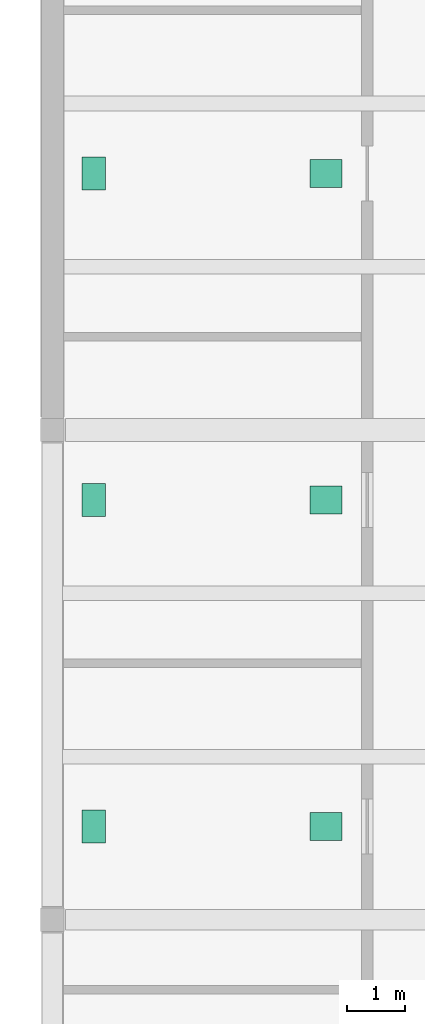
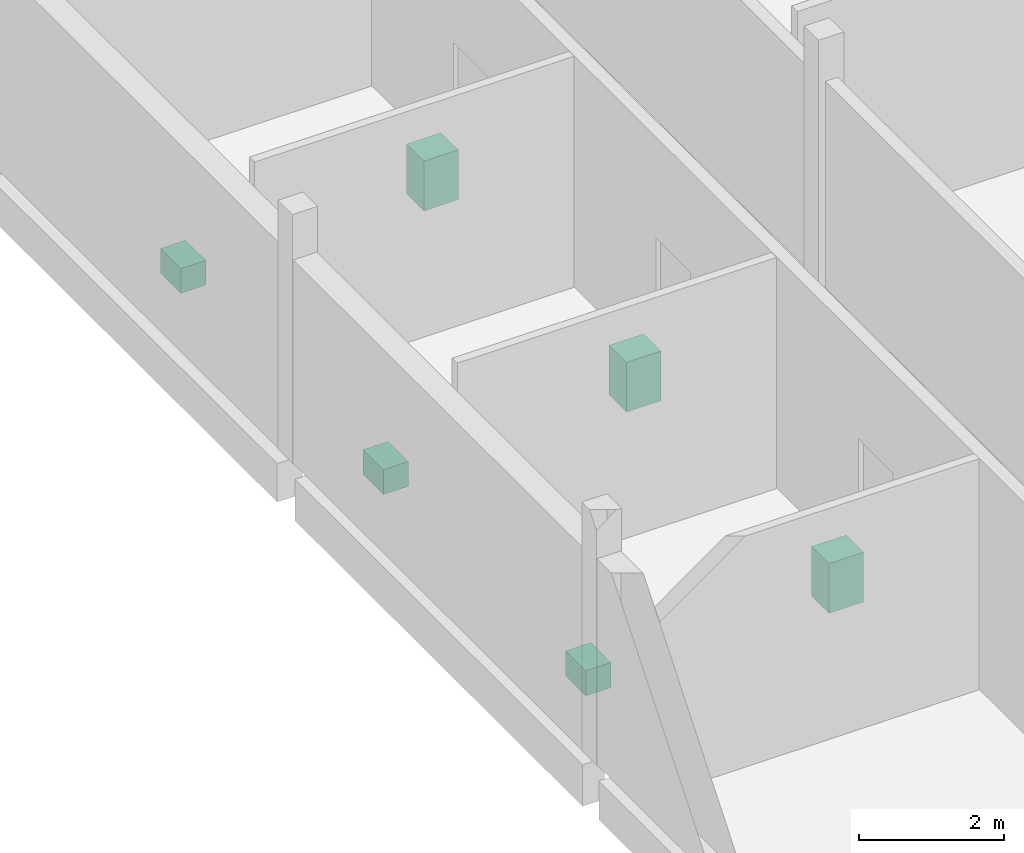
# One storey, part 41 of 41: 6 sanitary terminals.
"""IFC4 building model written with IfcOpenShell, lengths in metres."""

import ifcopenshell
import ifcopenshell.guid

model = None  # the IFC model being written
_history = None  # IfcOwnerHistory: only IFC2X3 demands one
_inside = {}  # id of a spatial element -> (the spatial element, [elements in it])
_under = {}  # id of a project, library or spatial element -> (it, [spatial elements below it])
_declared = {}  # id of a project -> (the project, [libraries it declares])
_typed = {}  # id of a type object -> (the type object, [elements of that type])
_made_of = {}  # id of a material, layer set ... -> (it, [elements and type objects made of it])


def new_model(schema):
    """Start an empty IFC model of exactly this schema.

    Asked for "IFC4X3", IfcOpenShell would pick the latest addendum, in which some entities
    have other attributes; the version numbers below select the first issue.
    IFC2X3 requires an IfcOwnerHistory on every rooted entity: one is made here for all.
    """
    global model, _history
    if schema == "IFC4X3":
        model = ifcopenshell.file(schema_version=(4, 3, 0, 0))
    else:
        model = ifcopenshell.file(schema=schema)
    _inside.clear()
    _under.clear()
    _declared.clear()
    _typed.clear()
    _made_of.clear()
    _history = None
    if model.schema == "IFC2X3":
        org = make("IfcOrganization", Name="unknown")
        user = make(
            "IfcPersonAndOrganization",
            ThePerson=make("IfcPerson", FamilyName="unknown"),
            TheOrganization=org,
        )
        app = make(
            "IfcApplication",
            ApplicationDeveloper=org,
            Version="unknown",
            ApplicationFullName="unknown",
            ApplicationIdentifier="unknown",
        )
        _history = make(
            "IfcOwnerHistory",
            OwningUser=user,
            OwningApplication=app,
            ChangeAction="ADDED",
            CreationDate=0,
        )
    return model


def make(cls, **values):
    """One entity of the class cls with the attributes given. An attribute that is None is left unset."""
    return model.create_entity(
        cls, **{name: value for name, value in values.items() if value is not None}
    )


def rooted(cls, **values):
    """An entity with a GlobalId (a new one), such as an element, a storey or a relation."""
    return make(cls, GlobalId=ifcopenshell.guid.new(), OwnerHistory=_history, **values)


def si_unit(unit_type, name, prefix=None):
    """IfcSIUnit, for example si_unit("LENGTHUNIT", "METRE", prefix="MILLI")."""
    return make("IfcSIUnit", UnitType=unit_type, Prefix=prefix, Name=name)


def assignment(units):
    """IfcUnitAssignment: the units of a project."""
    return None if units is None else make("IfcUnitAssignment", Units=units)


def point(xyz):
    """IfcCartesianPoint."""
    return None if xyz is None else make("IfcCartesianPoint", Coordinates=xyz)


def direction(xyz):
    """IfcDirection."""
    return None if xyz is None else make("IfcDirection", DirectionRatios=xyz)


def frame(location, z_axis=None, x_axis=None):
    """IfcAxis2Placement3D, a coordinate frame: its origin and axes. An axis left out is left unset."""
    return make(
        "IfcAxis2Placement3D",
        Location=point(location),
        Axis=direction(z_axis),
        RefDirection=direction(x_axis),
    )


def frame_2d(location, x_axis=None):
    """IfcAxis2Placement2D, a coordinate frame in the plane: its origin and x axis."""
    return make(
        "IfcAxis2Placement2D", Location=point(location), RefDirection=direction(x_axis)
    )


def origin():
    """The frame at (0, 0, 0) with its axes left unset."""
    return frame((0.0, 0.0, 0.0))


def origin_2d():
    """The frame at (0, 0) in the plane with its x axis left unset."""
    return frame_2d((0.0, 0.0))


def place(relative_to, where):
    """IfcLocalPlacement: puts the frame where relative to a parent placement (None: the world)."""
    return make(
        "IfcLocalPlacement", PlacementRelTo=relative_to, RelativePlacement=where
    )


def context(
    kind, dimensions, precision=None, world=None, true_north=None, identifier=None
):
    """IfcGeometricRepresentationContext, for example the 3D "Model" context."""
    return make(
        "IfcGeometricRepresentationContext",
        ContextIdentifier=identifier,
        ContextType=kind,
        CoordinateSpaceDimension=dimensions,
        Precision=precision,
        WorldCoordinateSystem=world,
        TrueNorth=true_north,
    )


def subcontext(parent, identifier, kind, view, scale=None):
    """IfcGeometricRepresentationSubContext, for example "Body" below "Model"."""
    return make(
        "IfcGeometricRepresentationSubContext",
        ContextIdentifier=identifier,
        ContextType=kind,
        ParentContext=parent,
        TargetScale=scale,
        TargetView=view,
    )


def project(units=None, contexts=None):
    """IfcProject with its units and contexts."""
    return rooted(
        "IfcProject",
        Name="project",
        RepresentationContexts=contexts,
        UnitsInContext=assignment(units),
    )


def spatial(cls, under=None, at=None, **own):
    """A site, building, storey or space (cls), placed at a placement, below another one or the project."""
    s = rooted(cls, ObjectPlacement=at, **own)
    if under is not None:
        _under.setdefault(under.id(), (under, []))[1].append(s)
    return s


def profile(cls, at=None, kind="AREA", **sizes):
    """A parametric profile (cls). Its sizes go by their IFC names, for example OverallWidth=200.0."""
    return make(cls, ProfileType=kind, Position=at, **sizes)


def rectangle(**sizes):
    """IfcRectangleProfileDef."""
    return profile("IfcRectangleProfileDef", **sizes)


def extrude(swept, where, along, depth):
    """IfcExtrudedAreaSolid: the profile swept, set in the frame where, extruded along a direction by depth."""
    return make(
        "IfcExtrudedAreaSolid",
        SweptArea=swept,
        Position=where,
        ExtrudedDirection=direction(along),
        Depth=depth,
    )


def shape(context_of_items, identifier, shape_type, items):
    """IfcShapeRepresentation: the items that make up one representation, for example the "Body"."""
    return make(
        "IfcShapeRepresentation",
        ContextOfItems=context_of_items,
        RepresentationIdentifier=identifier,
        RepresentationType=shape_type,
        Items=items,
    )


def material(Name=None, Category=None):
    """IfcMaterial."""
    return make("IfcMaterial", Name=Name, Category=Category)


def made_of(thing, what):
    """Note that an element or type object is made of a material, layer set ...; save() writes the relation."""
    if what is not None:
        _made_of.setdefault(what.id(), (what, []))[1].append(thing)
    return thing


def type_object(cls, material=None, **own):
    """A type object (cls), such as IfcWallType, which elements share."""
    return made_of(rooted(cls, **own), material)


def element(
    cls,
    number,
    at=None,
    inside=None,
    cuts=None,
    type_object=None,
    material=None,
    context=None,
    identifier="Body",
    shape_type=None,
    held_by="IfcProductDefinitionShape",
    body=None,
    shapes=None,
    **own,
):
    """One element of the class cls, such as IfcWall. Its Tag is "e" and its number.

    at: its placement. inside: the storey or other place that contains it. cuts: it is an
    opening in that element (IfcRelVoidsElement). A single representation is given by context,
    identifier, shape_type and body (its items); several are given by shapes. held_by: the class
    of the entity that holds the representations. save() writes the other relations.
    """
    e = rooted(cls, Tag="e%d" % number, ObjectPlacement=at, **own)
    if body is not None:
        shapes = [shape(context, identifier, shape_type, body)]
    if shapes is not None:
        e.Representation = make(held_by, Representations=shapes)
    if inside is not None:
        _inside.setdefault(inside.id(), (inside, []))[1].append(e)
    if cuts is not None:
        rooted(
            "IfcRelVoidsElement", RelatingBuildingElement=cuts, RelatedOpeningElement=e
        )
    if type_object is not None:
        _typed.setdefault(type_object.id(), (type_object, []))[1].append(e)
    return made_of(e, material)


def aggregate(whole, parts):
    """IfcRelAggregates: a whole, such as a stair, and the parts it consists of."""
    return rooted("IfcRelAggregates", RelatingObject=whole, RelatedObjects=parts)


def save(model, path):
    """Write the relations noted so far, then the file.

    IfcRelAggregates (storeys below a building ...), IfcRelContainedInSpatialStructure (elements
    in a storey), IfcRelDefinesByType, IfcRelAssociatesMaterial and IfcRelDeclares: one each for
    every whole, place, type object, material and project.
    """
    for whole, parts in _under.values():
        aggregate(whole, parts)
    for where, things in _inside.values():
        rooted(
            "IfcRelContainedInSpatialStructure",
            RelatedElements=things,
            RelatingStructure=where,
        )
    for kind, things in _typed.values():
        rooted("IfcRelDefinesByType", RelatedObjects=things, RelatingType=kind)
    for what, things in _made_of.values():
        rooted("IfcRelAssociatesMaterial", RelatedObjects=things, RelatingMaterial=what)
    for by, libraries in _declared.values():
        rooted("IfcRelDeclares", RelatingContext=by, RelatedDefinitions=libraries)
    model.write(path)


model = new_model("IFC4")

# Units and contexts
model_context = context("Model", 3, precision=1e-05, world=origin(), true_north=direction((0.0, 1.0)))
body_context = subcontext(model_context, "Body", "Model", "MODEL_VIEW")
ifc_project = project(units=[si_unit("LENGTHUNIT", "METRE"), si_unit("AREAUNIT", "SQUARE_METRE"), si_unit("VOLUMEUNIT", "CUBIC_METRE"), si_unit("PLANEANGLEUNIT", "RADIAN"), si_unit("MASSUNIT", "GRAM", prefix="KILO")], contexts=[model_context])

# Site, building, storey
site_placement = place(None, origin())
site = spatial("IfcSite", under=ifc_project, at=site_placement, CompositionType="ELEMENT")
building_placement = place(site_placement, origin())
building = spatial("IfcBuilding", under=site, at=building_placement, Name="Vireocrest Preparatory School", CompositionType="ELEMENT")
storey_placement = place(building_placement, frame((0.0, 0.0, 21.60009765625)))
storey = spatial("IfcBuildingStorey", under=building, at=storey_placement, Name="L05", CompositionType="ELEMENT", Elevation=21.60009765625)

# Sanitary terminals
ifc_material = material(Name="Vitreous china sanitaryware")
sanitary_terminal_type_1 = type_object("IfcSanitaryTerminalType", Name="Accessible Ceramic Washbasin", PredefinedType="WASHHANDBASIN", material=ifc_material)
for number, where, z_axis, x_axis, name in (
    (1, (46.68994140625, 70.60009765625, 0.0), (0.0, 0.0, 1.0), (1.0, 0.0, 0.0), "Accessible Washbasin L05-W5W03"),
    (2, (46.68994140625, 76.199951171875, 0.0), (0.0, 0.0, 1.0), (1.0, 0.0, 0.0), "Accessible Washbasin L05-W5W04"),
    (3, (46.68994140625, 81.800048828125, 0.0), (0.0, 0.0, 1.0), (1.0, 0.0, 0.0), "Accessible Washbasin L05-W5W05"),
):
    element("IfcSanitaryTerminal", number, at=place(storey_placement, frame(where, z_axis=z_axis, x_axis=x_axis)), inside=storey, type_object=sanitary_terminal_type_1, Name=name, PredefinedType="WASHHANDBASIN", context=body_context, shape_type="SweptSolid", body=[
        extrude(rectangle(XDim=0.550048828125, YDim=0.47998046875, at=origin_2d()), origin(), (0.0, 0.0, 1.0), 0.840087890625),
    ])
sanitary_terminal_type_2 = type_object("IfcSanitaryTerminalType", Name="Wall-Hung Vitreous China WC Pan", PredefinedType="TOILETPAN", material=ifc_material)
for number, where, z_axis, x_axis, name in (
    (4, (42.7099609375, 70.60009765625, 0.0), (0.0, 0.0, 1.0), (1.0, 0.0, 0.0), "WC Pan L05-W5W03"),
    (5, (42.7099609375, 76.199951171875, 0.0), (0.0, 0.0, 1.0), (1.0, 0.0, 0.0), "WC Pan L05-W5W04"),
    (6, (42.7099609375, 81.800048828125, 0.0), (0.0, 0.0, 1.0), (1.0, 0.0, 0.0), "WC Pan L05-W5W05"),
):
    element("IfcSanitaryTerminal", number, at=place(storey_placement, frame(where, z_axis=z_axis, x_axis=x_axis)), inside=storey, type_object=sanitary_terminal_type_2, Name=name, PredefinedType="TOILETPAN", context=body_context, shape_type="SweptSolid", body=[
        extrude(rectangle(XDim=0.39990234375, YDim=0.56005859375, at=origin_2d()), origin(), (0.0, 0.0, 1.0), 0.419921875),
    ])

save(model, "model.ifc")
